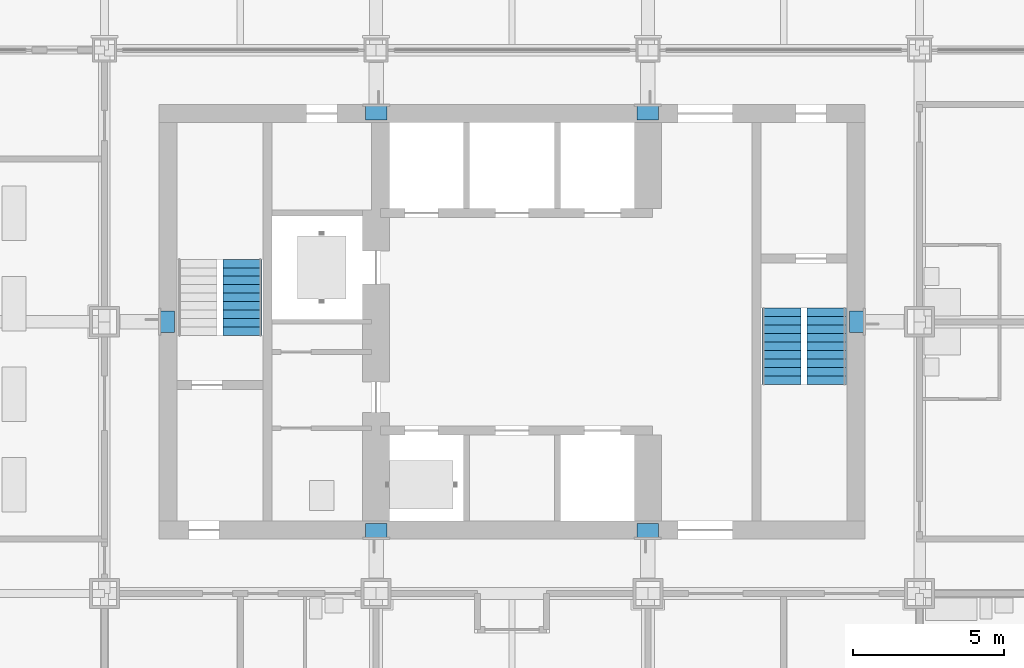
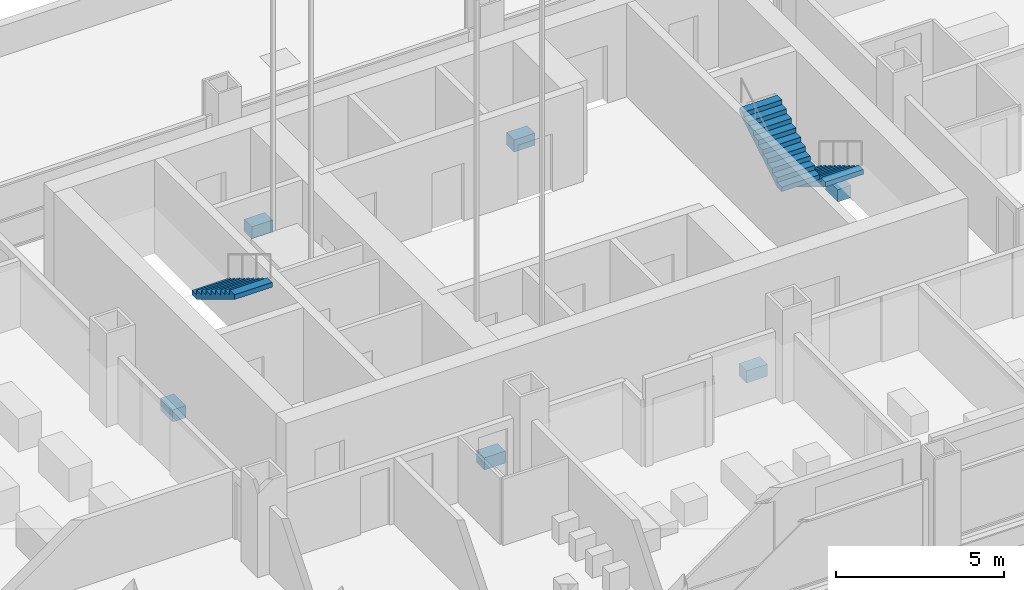
# One storey, part 11 of 15: 6 discrete accessories, 3 stair flights, 2 elements without a shape of their own.
"""IFC4 building model written with IfcOpenShell, lengths in metres."""

from ifc_helpers import new_model, si_unit, direction, frame, origin, origin_2d, place, context, subcontext, project, spatial, polyline, rectangle, outline, extrude, material, type_object, element, aggregate, save


model = new_model("IFC4")

# Units and contexts
model_context = context("Model", 3, precision=1e-05, world=origin(), true_north=direction((0.0, 1.0)))
body_context = subcontext(model_context, "Body", "Model", "MODEL_VIEW")
ifc_project = project(units=[si_unit("LENGTHUNIT", "METRE"), si_unit("AREAUNIT", "SQUARE_METRE"), si_unit("VOLUMEUNIT", "CUBIC_METRE"), si_unit("PLANEANGLEUNIT", "RADIAN"), si_unit("MASSUNIT", "GRAM", prefix="KILO")], contexts=[model_context])

# Site, building, storey
site_placement = place(None, origin())
site = spatial("IfcSite", under=ifc_project, at=site_placement, CompositionType="ELEMENT")
building_placement = place(site_placement, origin())
building = spatial("IfcBuilding", under=site, at=building_placement, Name="Loomwork Tower", CompositionType="ELEMENT")
storey_placement = place(building_placement, frame((0.0, 0.0, 160.39990234375)))
storey = spatial("IfcBuildingStorey", under=building, at=storey_placement, Name="L43", CompositionType="ELEMENT", Elevation=160.39990234375)

# Stair, stair flight
ifc_material_1 = material(Name="Concrete 5000 psi (34 MPa) precast stair", Category="concrete")
stair_type_1 = type_object("IfcStairType", Name="Stair ST-A 20 risers 2850 wide", PredefinedType="HALF_TURN_STAIR", material=ifc_material_1)
stair_1_placement = place(storey_placement, origin())
stair_1 = element("IfcStair", 1, at=stair_1_placement, inside=storey, type_object=stair_type_1, Name="Stair A L43", PredefinedType="HALF_TURN_STAIR")
ifc_material_2 = material(Name="Concrete 5000 psi (34 MPa) precast stair", Category="concrete")
stair_flight_type_1 = type_object("IfcStairFlightType", Name="Stair flight ST-A 10 risers 1300 wide", PredefinedType="STRAIGHT", material=ifc_material_2)
stair_flight_1_placement = place(storey_placement, frame((13.574951171875, 20.070068359375, 1.7001953125), z_axis=(0.0, 0.0, 1.0), x_axis=(0.0, -1.0, 0.0)))
stair_flight_1 = element("IfcStairFlight", 2, at=stair_flight_1_placement, type_object=stair_flight_type_1, Name="ST-A flight 2", NumberOfRisers=10, NumberOfTreads=9, PredefinedType="STRAIGHT", RiserHeight=0.17, TreadLength=0.28, context=body_context, shape_type="SweptSolid", body=[
    extrude(outline(polyline([(0.0, 0.0), (0.0, 0.169921875), (0.280029296875, 0.169921875), (0.280029296875, 0.340087890625), (0.56005859375, 0.340087890625), (0.56005859375, 0.510009765625), (0.840087890625, 0.510009765625), (0.840087890625, 0.679931640625), (1.1201171875, 0.679931640625), (1.1201171875, 0.85009765625), (1.39990234375, 0.85009765625), (1.39990234375, 1.02001953125), (1.679931640625, 1.02001953125), (1.679931640625, 1.18994140625), (1.9599609375, 1.18994140625), (1.9599609375, 1.360107421875), (2.239990234375, 1.360107421875), (2.239990234375, 1.530029296875), (2.52001953125, 1.530029296875), (2.52001953125, 1.699951171875), (2.52001953125, 1.354736328125), (0.288818359375, 0.0), (0.0, 0.0)])), frame((0.0, 0.64990234375, 0.0), z_axis=(0.0, -1.0, 0.0), x_axis=(1.0, 0.0, 0.0)), (0.0, 0.0, 1.0), 1.300048828125),
])
aggregate(stair_1, [stair_flight_1])

# Stair, stair flights
ifc_material_3 = material(Name="Concrete 5000 psi (34 MPa) precast stair", Category="concrete")
stair_type_2 = type_object("IfcStairType", Name="Stair ST-B 20 risers 2850 wide", PredefinedType="HALF_TURN_STAIR", material=ifc_material_3)
stair_2_placement = place(storey_placement, origin())
stair_2 = element("IfcStair", 3, at=stair_2_placement, inside=storey, type_object=stair_type_2, Name="Stair B L43", PredefinedType="HALF_TURN_STAIR")
ifc_material_4 = material(Name="Concrete 5000 psi (34 MPa) precast stair", Category="concrete")
stair_flight_type_2 = type_object("IfcStairFlightType", Name="Stair flight ST-B 10 risers 1300 wide", PredefinedType="STRAIGHT", material=ifc_material_4)
stair_flight_2_placement = place(storey_placement, frame((32.925048828125, 18.449951171875, 0.0), z_axis=(0.0, 0.0, 1.0), x_axis=(0.0, -1.0, 0.0)))
stair_flight_2 = element("IfcStairFlight", 4, at=stair_flight_2_placement, type_object=stair_flight_type_2, Name="ST-B flight 1", NumberOfRisers=10, NumberOfTreads=9, PredefinedType="STRAIGHT", RiserHeight=0.17, TreadLength=0.28, context=body_context, shape_type="SweptSolid", body=[
    extrude(outline(polyline([(0.0, 0.0), (0.0, 0.169921875), (0.280029296875, 0.169921875), (0.280029296875, 0.340087890625), (0.56005859375, 0.340087890625), (0.56005859375, 0.510009765625), (0.840087890625, 0.510009765625), (0.840087890625, 0.679931640625), (1.1201171875, 0.679931640625), (1.1201171875, 0.85009765625), (1.39990234375, 0.85009765625), (1.39990234375, 1.02001953125), (1.679931640625, 1.02001953125), (1.679931640625, 1.18994140625), (1.9599609375, 1.18994140625), (1.9599609375, 1.360107421875), (2.239990234375, 1.360107421875), (2.239990234375, 1.530029296875), (2.52001953125, 1.530029296875), (2.52001953125, 1.699951171875), (2.52001953125, 1.354736328125), (0.288818359375, 0.0), (0.0, 0.0)])), frame((0.0, 0.64990234375, 0.0), z_axis=(0.0, -1.0, 0.0), x_axis=(1.0, 0.0, 0.0)), (0.0, 0.0, 1.0), 1.300048828125),
])
stair_flight_3_placement = place(storey_placement, frame((31.425048828125, 15.929931640625, 1.7001953125), z_axis=(0.0, 0.0, 1.0), x_axis=(0.0, 1.0, 0.0)))
stair_flight_3 = element("IfcStairFlight", 5, at=stair_flight_3_placement, type_object=stair_flight_type_2, Name="ST-B flight 2", NumberOfRisers=10, NumberOfTreads=9, PredefinedType="STRAIGHT", RiserHeight=0.17, TreadLength=0.28, context=body_context, shape_type="SweptSolid", body=[
    extrude(outline(polyline([(0.0, 0.0), (0.0, 0.169921875), (0.280029296875, 0.169921875), (0.280029296875, 0.340087890625), (0.56005859375, 0.340087890625), (0.56005859375, 0.510009765625), (0.840087890625, 0.510009765625), (0.840087890625, 0.679931640625), (1.1201171875, 0.679931640625), (1.1201171875, 0.85009765625), (1.39990234375, 0.85009765625), (1.39990234375, 1.02001953125), (1.679931640625, 1.02001953125), (1.679931640625, 1.18994140625), (1.9599609375, 1.18994140625), (1.9599609375, 1.360107421875), (2.239990234375, 1.360107421875), (2.239990234375, 1.530029296875), (2.52001953125, 1.530029296875), (2.52001953125, 1.699951171875), (2.52001953125, 1.354736328125), (0.288818359375, 0.0), (0.0, 0.0)])), frame((0.0, 0.64990234375, 0.0), z_axis=(0.0, -1.0, 0.0), x_axis=(1.0, 0.0, 0.0)), (0.0, 0.0, 1.0), 1.300048828125),
])
aggregate(stair_2, [stair_flight_2, stair_flight_3])

# Discrete accessories
ifc_material_5 = material(Name="Steel ASTM A706 Grade 60", Category="steel")
discrete_accessory_type = type_object("IfcDiscreteAccessoryType", Name="Outrigger core-wall anchor bar group", PredefinedType="USERDEFINED", material=ifc_material_5)
discrete_accessory_1_placement = place(storey_placement, frame((27.0, 11.089111328125, -0.719482421875), z_axis=(0.0, 0.0, 1.0), x_axis=(1.0, 0.0, 0.0)))
element("IfcDiscreteAccessory", 6, at=discrete_accessory_1_placement, inside=storey, type_object=discrete_accessory_type, Name="Outrigger core-wall anchor bar group 27,9-27,11.1 L43", ObjectType="ANCHOR BAR GROUP", PredefinedType="USERDEFINED", context=body_context, shape_type="SweptSolid", body=[
    extrude(rectangle(XDim=0.719970703125, YDim=0.4599609375, at=origin_2d()), origin(), (0.0, 0.0, 1.0), 0.43994140625),
])
discrete_accessory_2_placement = place(storey_placement, frame((33.910888671875, 18.0, -0.719482421875), z_axis=(0.0, 0.0, 1.0), x_axis=(1.0, 0.0, 0.0)))
element("IfcDiscreteAccessory", 7, at=discrete_accessory_2_placement, inside=storey, type_object=discrete_accessory_type, Name="Outrigger core-wall anchor bar group 36,18-33.9,18 L43", ObjectType="ANCHOR BAR GROUP", PredefinedType="USERDEFINED", context=body_context, shape_type="SweptSolid", body=[
    extrude(rectangle(XDim=0.4599609375, YDim=0.719970703125, at=origin_2d()), origin(), (0.0, 0.0, 1.0), 0.43994140625),
])
for number, where, z_axis, x_axis, name in (
    (8, (27.0, 24.910888671875, -0.719482421875), (0.0, 0.0, 1.0), (1.0, 0.0, 0.0), "Outrigger core-wall anchor bar group 27,27-27,24.9 L43"),
    (9, (18.0, 11.089111328125, -0.719482421875), (0.0, 0.0, 1.0), (1.0, 0.0, 0.0), "Outrigger core-wall anchor bar group 18,9-18,11.1 L43"),
    (10, (18.0, 24.910888671875, -0.719482421875), (0.0, 0.0, 1.0), (1.0, 0.0, 0.0), "Outrigger core-wall anchor bar group 18,27-18,24.9 L43"),
):
    element("IfcDiscreteAccessory", number, at=place(storey_placement, frame(where, z_axis=z_axis, x_axis=x_axis)), inside=storey, type_object=discrete_accessory_type, Name=name, ObjectType="ANCHOR BAR GROUP", PredefinedType="USERDEFINED", context=body_context, shape_type="SweptSolid", body=[
        extrude(rectangle(XDim=0.719970703125, YDim=0.4599609375, at=origin_2d()), origin(), (0.0, 0.0, 1.0), 0.43994140625),
    ])
discrete_accessory_3_placement = place(storey_placement, frame((11.089111328125, 18.0, -0.719482421875), z_axis=(0.0, 0.0, 1.0), x_axis=(1.0, 0.0, 0.0)))
element("IfcDiscreteAccessory", 11, at=discrete_accessory_3_placement, inside=storey, type_object=discrete_accessory_type, Name="Outrigger core-wall anchor bar group 9,18-11.1,18 L43", ObjectType="ANCHOR BAR GROUP", PredefinedType="USERDEFINED", context=body_context, shape_type="SweptSolid", body=[
    extrude(rectangle(XDim=0.4599609375, YDim=0.719970703125, at=origin_2d()), origin(), (0.0, 0.0, 1.0), 0.43994140625),
])

save(model, "model.ifc")
